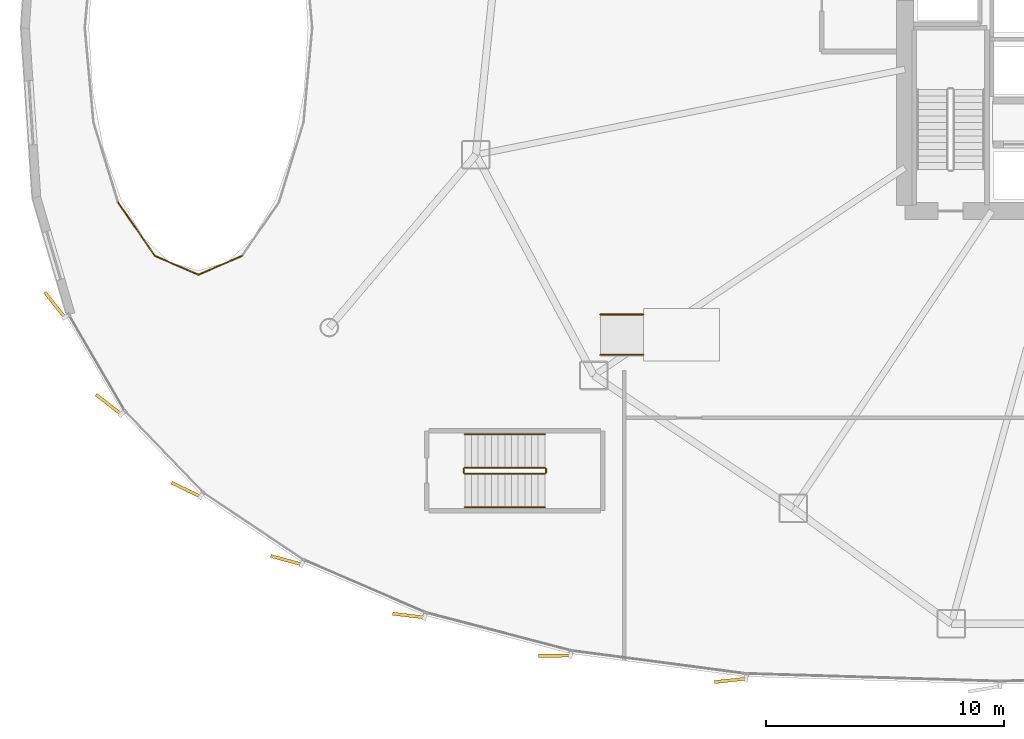
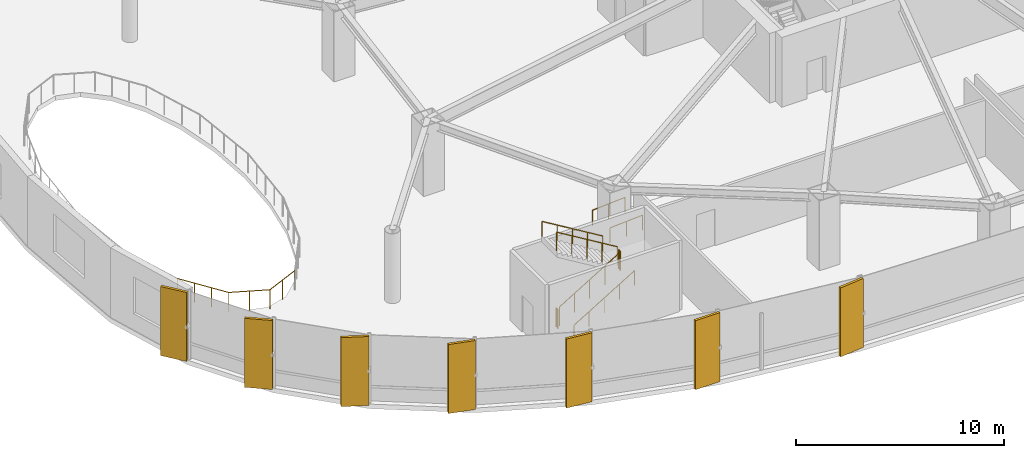
# One storey, part 29 of 34: 11 railings, 7 coverings.
"""IFC4 building model written with IfcOpenShell, lengths in metres."""

from ifc_helpers import new_model, si_unit, direction, frame, origin, origin_2d, place, context, subcontext, project, spatial, rectangle, circle, extrude, source, transform, mapped, material, layer, layer_set, type_object, element, save


model = new_model("IFC4")

# Units and contexts
model_context = context("Model", 3, precision=1e-05, world=origin(), true_north=direction((0.0, 1.0)))
body_context = subcontext(model_context, "Body", "Model", "MODEL_VIEW")
ifc_project = project(units=[si_unit("LENGTHUNIT", "METRE"), si_unit("AREAUNIT", "SQUARE_METRE"), si_unit("VOLUMEUNIT", "CUBIC_METRE"), si_unit("PLANEANGLEUNIT", "RADIAN"), si_unit("MASSUNIT", "GRAM", prefix="KILO"), si_unit("THERMODYNAMICTEMPERATUREUNIT", "KELVIN")], contexts=[model_context])

# Site, building, storey
site_placement = place(None, origin())
site = spatial("IfcSite", under=ifc_project, at=site_placement, CompositionType="ELEMENT")
building_placement = place(site_placement, origin())
building = spatial("IfcBuilding", under=site, at=building_placement, Name="Kethvar Cultural Tower", CompositionType="ELEMENT")
storey_placement = place(building_placement, frame((0.0, 0.0, 19.60009765625)))
storey = spatial("IfcBuildingStorey", under=building, at=storey_placement, Name="L04", CompositionType="ELEMENT", Elevation=19.60009765625)

# Railings
ifc_material_1 = material(Name="Steel S355J2", Category="steel")
railing_type_1 = type_object("IfcRailingType", Name="RL-INT-ATRIUM-1150", PredefinedType="BALUSTRADE", material=ifc_material_1)
railing_1_placement = place(storey_placement, frame((4.919921875, 20.460205078125, 0.0)))
element("IfcRailing", 1, at=railing_1_placement, inside=storey, type_object=railing_type_1, Name="L04 Atrium Void Balustrade 11", PredefinedType="BALUSTRADE", context=body_context, shape_type="SweptSolid", body=[
    extrude(circle(Radius=0.02392578125, at=origin_2d()), frame((0.0, 0.0, 1.1259765625), z_axis=(0.567499103601, -0.823374014293, 0.0), x_axis=(0.823374014293, 0.567499103601, 0.0)), (0.0, 0.0, 1.0), 2.732666015625),
    extrude(circle(Radius=0.02099609375, at=origin_2d()), origin(), (0.0, 0.0, 1.0), 1.101806640625),
    extrude(circle(Radius=0.02099609375, at=origin_2d()), frame((0.516845703125, -0.75, 0.0)), (0.0, 0.0, 1.0), 1.101806640625),
    extrude(circle(Radius=0.02099609375, at=origin_2d()), frame((1.033935546875, -1.5, 0.0)), (0.0, 0.0, 1.0), 1.101806640625),
    extrude(circle(Radius=0.02099609375, at=origin_2d()), frame((1.55078125, -2.25, 0.0)), (0.0, 0.0, 1.0), 1.101806640625),
])
railing_2_placement = place(storey_placement, frame((6.470703125, 18.210205078125, 0.0)))
element("IfcRailing", 2, at=railing_2_placement, inside=storey, type_object=railing_type_1, Name="L04 Atrium Void Balustrade 12", PredefinedType="BALUSTRADE", context=body_context, shape_type="SweptSolid", body=[
    extrude(circle(Radius=0.02392578125, at=origin_2d()), frame((0.0, 0.0, 1.1259765625), z_axis=(0.918000525131, -0.396579167203, 0.0), x_axis=(0.396579167203, 0.918000525131, 0.0)), (0.0, 0.0, 1.0), 1.99267578125),
    extrude(circle(Radius=0.02099609375, at=origin_2d()), origin(), (0.0, 0.0, 1.0), 1.101806640625),
    extrude(circle(Radius=0.02099609375, at=origin_2d()), frame((0.91455078125, -0.39501953125, 0.0)), (0.0, 0.0, 1.0), 1.101806640625),
    extrude(circle(Radius=0.02099609375, at=origin_2d()), frame((1.829345703125, -0.790283203125, 0.0)), (0.0, 0.0, 1.0), 1.101806640625),
])
railing_3_placement = place(storey_placement, frame((8.300048828125, 17.419921875, 0.0)))
element("IfcRailing", 3, at=railing_3_placement, inside=storey, type_object=railing_type_1, Name="L04 Atrium Void Balustrade 13", PredefinedType="BALUSTRADE", context=body_context, shape_type="SweptSolid", body=[
    extrude(circle(Radius=0.02392578125, at=origin_2d()), frame((0.0, 0.0, 1.1259765625), z_axis=(0.917981253421, 0.396623774336, 0.0), x_axis=(-0.396623774336, 0.917981253421, 0.0)), (0.0, 0.0, 1.0), 1.992431640625),
    extrude(circle(Radius=0.02099609375, at=origin_2d()), origin(), (0.0, 0.0, 1.0), 1.101806640625),
    extrude(circle(Radius=0.02099609375, at=origin_2d()), frame((0.91455078125, 0.39501953125, 0.0)), (0.0, 0.0, 1.0), 1.101806640625),
    extrude(circle(Radius=0.02099609375, at=origin_2d()), frame((1.8291015625, 0.790283203125, 0.0)), (0.0, 0.0, 1.0), 1.101806640625),
])
railing_type_2 = type_object("IfcRailingType", Name="RL-STAIR-GUARD", PredefinedType="BALUSTRADE", material=ifc_material_1)
railing_4_placement = place(storey_placement, frame((19.5, 9.050048828125, 0.169189453125)))
element("IfcRailing", 4, at=railing_4_placement, inside=storey, type_object=railing_type_2, Name="L04 ST-04 stair guard 1", PredefinedType="BALUSTRADE", context=body_context, shape_type="SweptSolid", body=[
    extrude(circle(Radius=0.02392578125, at=origin_2d()), frame((0.0, 0.0, 1.09619140625), z_axis=(0.855836976705, 0.0, 0.517245656632), x_axis=(0.0, 1.0, 0.0)), (0.0, 0.0, 1.0), 3.926025390625),
    extrude(circle(Radius=0.02099609375, at=origin_2d()), origin(), (0.0, 0.0, 1.0), 1.072021484375),
    extrude(circle(Radius=0.02099609375, at=origin_2d()), frame((0.840087890625, 0.0, 0.5078125)), (0.0, 0.0, 1.0), 1.072021484375),
    extrude(circle(Radius=0.02099609375, at=origin_2d()), frame((1.68017578125, 0.0, 1.015380859375)), (0.0, 0.0, 1.0), 1.072021484375),
    extrude(circle(Radius=0.02099609375, at=origin_2d()), frame((2.52001953125, 0.0, 1.52294921875)), (0.0, 0.0, 1.0), 1.072021484375),
    extrude(circle(Radius=0.02099609375, at=origin_2d()), frame((3.360107421875, 0.0, 2.03076171875)), (0.0, 0.0, 1.0), 1.072021484375),
])
railing_5_placement = place(storey_placement, frame((22.909912109375, 9.10009765625, 2.199951171875)))
element("IfcRailing", 5, at=railing_5_placement, inside=storey, type_object=railing_type_2, Name="L04 ST-04 stair guard 2", PredefinedType="BALUSTRADE", context=body_context, shape_type="SweptSolid", body=[
    extrude(circle(Radius=0.02392578125, at=origin_2d()), frame((0.0, 0.0, 1.09619140625), z_axis=(0.0, 1.0, 0.0), x_axis=(-1.0, 0.0, 0.0)), (0.0, 0.0, 1.0), 0.159912109375),
    extrude(circle(Radius=0.02099609375, at=origin_2d()), origin(), (0.0, 0.0, 1.0), 1.072021484375),
    extrude(circle(Radius=0.02099609375, at=origin_2d()), frame((0.0, 0.159912109375, 0.0)), (0.0, 0.0, 1.0), 1.072021484375),
])
railing_6_placement = place(storey_placement, frame((22.860107421875, 9.31005859375, 2.369140625)))
element("IfcRailing", 6, at=railing_6_placement, inside=storey, type_object=railing_type_2, Name="L04 ST-04 stair guard 3", PredefinedType="BALUSTRADE", context=body_context, shape_type="SweptSolid", body=[
    extrude(circle(Radius=0.02392578125, at=origin_2d()), frame((0.0, 0.0, 1.09619140625), z_axis=(-0.855836976705, 0.0, 0.517245656632), x_axis=(0.0, -1.0, 0.0)), (0.0, 0.0, 1.0), 3.926025390625),
    extrude(circle(Radius=0.02099609375, at=origin_2d()), origin(), (0.0, 0.0, 1.0), 1.072021484375),
    extrude(circle(Radius=0.02099609375, at=origin_2d()), frame((-0.840087890625, 0.0, 0.5078125)), (0.0, 0.0, 1.0), 1.072021484375),
    extrude(circle(Radius=0.02099609375, at=origin_2d()), frame((-1.68017578125, 0.0, 1.015380859375)), (0.0, 0.0, 1.0), 1.072021484375),
    extrude(circle(Radius=0.02099609375, at=origin_2d()), frame((-2.52001953125, 0.0, 1.52294921875)), (0.0, 0.0, 1.0), 1.072021484375),
    extrude(circle(Radius=0.02099609375, at=origin_2d()), frame((-3.360107421875, 0.0, 2.03076171875)), (0.0, 0.0, 1.0), 1.072021484375),
])
railing_7_placement = place(storey_placement, frame((19.449951171875, 9.10009765625, 0.0)))
element("IfcRailing", 7, at=railing_7_placement, inside=storey, type_object=railing_type_2, Name="L04 ST-04 stair guard 4", PredefinedType="BALUSTRADE", context=body_context, shape_type="SweptSolid", body=[
    extrude(circle(Radius=0.02392578125, at=origin_2d()), frame((0.0, 0.0, 1.09619140625), z_axis=(0.0, 1.0, 0.0), x_axis=(-1.0, 0.0, 0.0)), (0.0, 0.0, 1.0), 0.159912109375),
    extrude(circle(Radius=0.02099609375, at=origin_2d()), origin(), (0.0, 0.0, 1.0), 1.072021484375),
    extrude(circle(Radius=0.02099609375, at=origin_2d()), frame((0.0, 0.159912109375, 0.0)), (0.0, 0.0, 1.0), 1.072021484375),
])
railing_type_3 = type_object("IfcRailingType", Name="RL-STAIR-HANDRAIL", PredefinedType="HANDRAIL", material=ifc_material_1)
railing_8_placement = place(storey_placement, frame((19.5, 7.64990234375, 0.169189453125)))
element("IfcRailing", 8, at=railing_8_placement, inside=storey, type_object=railing_type_3, Name="L04 ST-04 stair handrail 1", PredefinedType="HANDRAIL", context=body_context, shape_type="SweptSolid", body=[
    extrude(circle(Radius=0.02392578125, at=origin_2d()), frame((0.0, 0.0, 0.8759765625), z_axis=(0.855836976705, 0.0, 0.517245656632), x_axis=(0.0, 1.0, 0.0)), (0.0, 0.0, 1.0), 3.926025390625),
    extrude(circle(Radius=0.02099609375, at=origin_2d()), origin(), (0.0, 0.0, 1.0), 0.851806640625),
    extrude(circle(Radius=0.02099609375, at=origin_2d()), frame((0.840087890625, 0.0, 0.5078125)), (0.0, 0.0, 1.0), 0.851806640625),
    extrude(circle(Radius=0.02099609375, at=origin_2d()), frame((1.68017578125, 0.0, 1.015380859375)), (0.0, 0.0, 1.0), 0.851806640625),
    extrude(circle(Radius=0.02099609375, at=origin_2d()), frame((2.52001953125, 0.0, 1.52294921875)), (0.0, 0.0, 1.0), 0.851806640625),
    extrude(circle(Radius=0.02099609375, at=origin_2d()), frame((3.360107421875, 0.0, 2.03076171875)), (0.0, 0.0, 1.0), 0.851806640625),
])
railing_9_placement = place(storey_placement, frame((22.860107421875, 10.7099609375, 2.369140625)))
element("IfcRailing", 9, at=railing_9_placement, inside=storey, type_object=railing_type_3, Name="L04 ST-04 stair handrail 2", PredefinedType="HANDRAIL", context=body_context, shape_type="SweptSolid", body=[
    extrude(circle(Radius=0.02392578125, at=origin_2d()), frame((0.0, 0.0, 0.8759765625), z_axis=(-0.855836976705, 0.0, 0.517245656632), x_axis=(0.0, -1.0, 0.0)), (0.0, 0.0, 1.0), 3.926025390625),
    extrude(circle(Radius=0.02099609375, at=origin_2d()), origin(), (0.0, 0.0, 1.0), 0.851806640625),
    extrude(circle(Radius=0.02099609375, at=origin_2d()), frame((-0.840087890625, 0.0, 0.5078125)), (0.0, 0.0, 1.0), 0.851806640625),
    extrude(circle(Radius=0.02099609375, at=origin_2d()), frame((-1.68017578125, 0.0, 1.015380859375)), (0.0, 0.0, 1.0), 0.851806640625),
    extrude(circle(Radius=0.02099609375, at=origin_2d()), frame((-2.52001953125, 0.0, 1.52294921875)), (0.0, 0.0, 1.0), 0.851806640625),
    extrude(circle(Radius=0.02099609375, at=origin_2d()), frame((-3.360107421875, 0.0, 2.03076171875)), (0.0, 0.0, 1.0), 0.851806640625),
])
for number, where, name in (
    (10, (25.199951171875, 14.050048828125, 0.0), "L04 Accessible Ramp Handrail S"),
    (11, (25.199951171875, 15.75, 0.0), "L04 Accessible Ramp Handrail N"),
):
    element("IfcRailing", number, at=place(storey_placement, frame(where)), inside=storey, type_object=railing_type_3, Name=name, PredefinedType="HANDRAIL", context=body_context, shape_type="SweptSolid", body=[
        extrude(circle(Radius=0.02392578125, at=origin_2d()), frame((0.0, 0.0, 0.8759765625), z_axis=(0.997789945721, 0.0, 0.06644715358), x_axis=(0.0, 1.0, 0.0)), (0.0, 0.0, 1.0), 1.803955078125),
        extrude(circle(Radius=0.02099609375, at=origin_2d()), origin(), (0.0, 0.0, 1.0), 0.851806640625),
        extrude(circle(Radius=0.02099609375, at=origin_2d()), frame((0.89990234375, 0.0, 0.06005859375)), (0.0, 0.0, 1.0), 0.851806640625),
        extrude(circle(Radius=0.02099609375, at=origin_2d()), frame((1.800048828125, 0.0, 0.119873046875)), (0.0, 0.0, 1.0), 0.851806640625),
    ])

# Coverings
ifc_material_2 = material(Name="Extruded Architectural Terracotta", Category="masonry")
ifc_layer = layer(ifc_material_2, 0.135009765625, Name="Extruded Architectural Terracotta", Category="masonry")
ifc_layer_set = layer_set([ifc_layer], Name="Extruded Architectural Terracotta (135 mm)")
covering_type = type_object("IfcCoveringType", Name="Terracotta Facade Fin FIN-04", PredefinedType="CLADDING", material=ifc_layer_set)
shared_shape = source(origin(), body_context, "Body", "SweptSolid", [
    extrude(rectangle(XDim=1.35009765625, YDim=0.135009765625, at=origin_2d()), origin(), (0.0, 0.0, 1.0), 4.0400390625),
])
for number, where, z_axis, x_axis, name in (
    (12, (2.2626953125, 16.156005859375, 0.019775390625), (0.0, 0.0, 1.0), (-0.618819784276, 0.785532987588, 0.0), "L04 Vertical Terracotta Fin 4.1"),
    (13, (4.526611328125, 11.96728515625, 0.019775390625), (0.0, 0.0, 1.0), (-0.786935021961, 0.617035875141, 0.0), "L04 Vertical Terracotta Fin 4.2"),
    (14, (7.784912109375, 8.381591796875, 0.019775390625), (0.0, 0.0, 1.0), (-0.900166792241, 0.435545343388, 0.0), "L04 Vertical Terracotta Fin 4.3"),
    (15, (11.990966796875, 5.421142578125, 0.019775390625), (0.0, 0.0, 1.0), (-0.964326778534, 0.264714684522, 0.0), "L04 Vertical Terracotta Fin 4.4"),
    (16, (17.135986328125, 3.091796875, 0.019775390625), (0.0, 0.0, 1.0), (-0.993251859042, 0.115977344809, 0.0), "L04 Vertical Terracotta Fin 4.5"),
    (17, (23.2646484375, 1.404296875, 0.019775390625), (0.0, 0.0, 1.0), (-0.999963430902, -0.008552009087, 0.0), "L04 Vertical Terracotta Fin 4.6"),
    (18, (30.659423828125, 0.367919921875, 0.019775390625), (0.0, 0.0, 1.0), (-0.994018275953, -0.109213859333, 0.0), "L04 Vertical Terracotta Fin 5.1"),
):
    element("IfcCovering", number, at=place(storey_placement, frame(where, z_axis=z_axis, x_axis=x_axis)), inside=storey, type_object=covering_type, Name=name, PredefinedType="CLADDING", context=body_context, shape_type="MappedRepresentation", body=[
        mapped(shared_shape, transform((0.0, 0.0, 0.0), scale=1.0)),
    ])

save(model, "model.ifc")
